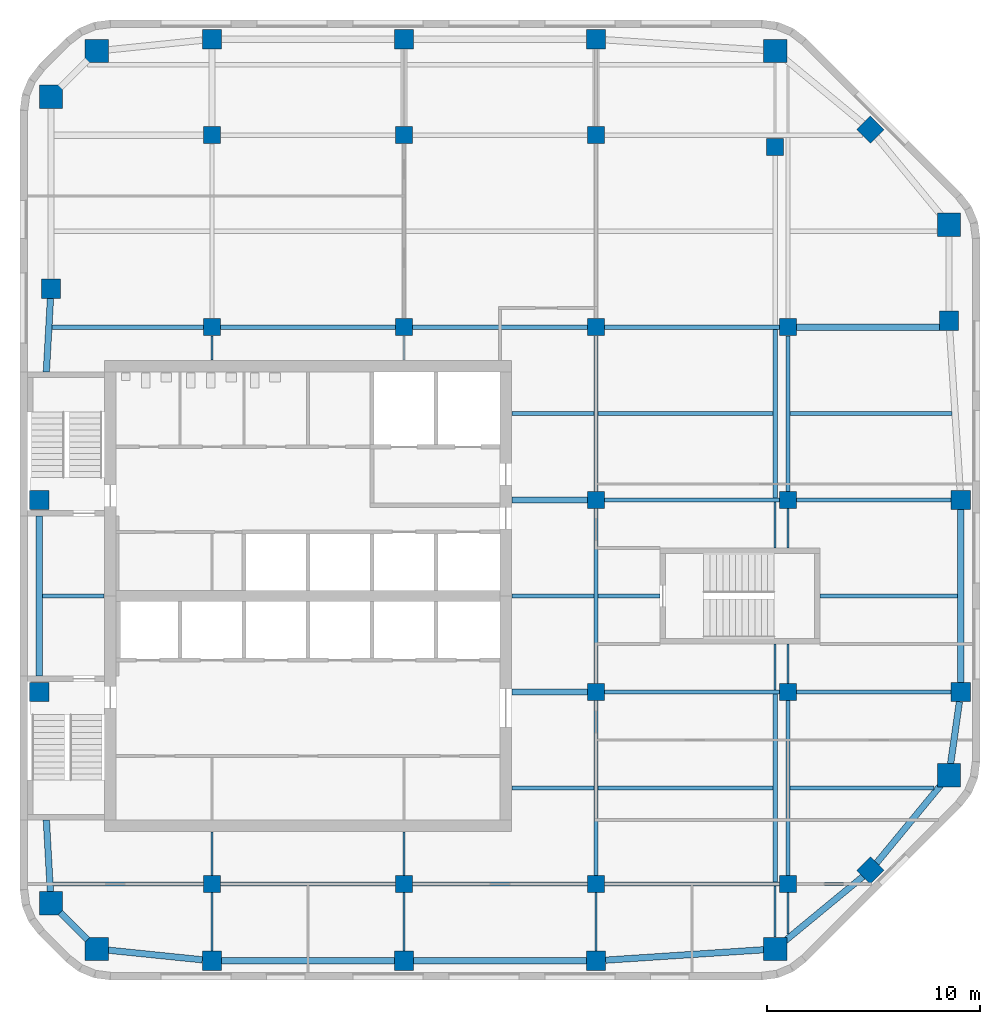
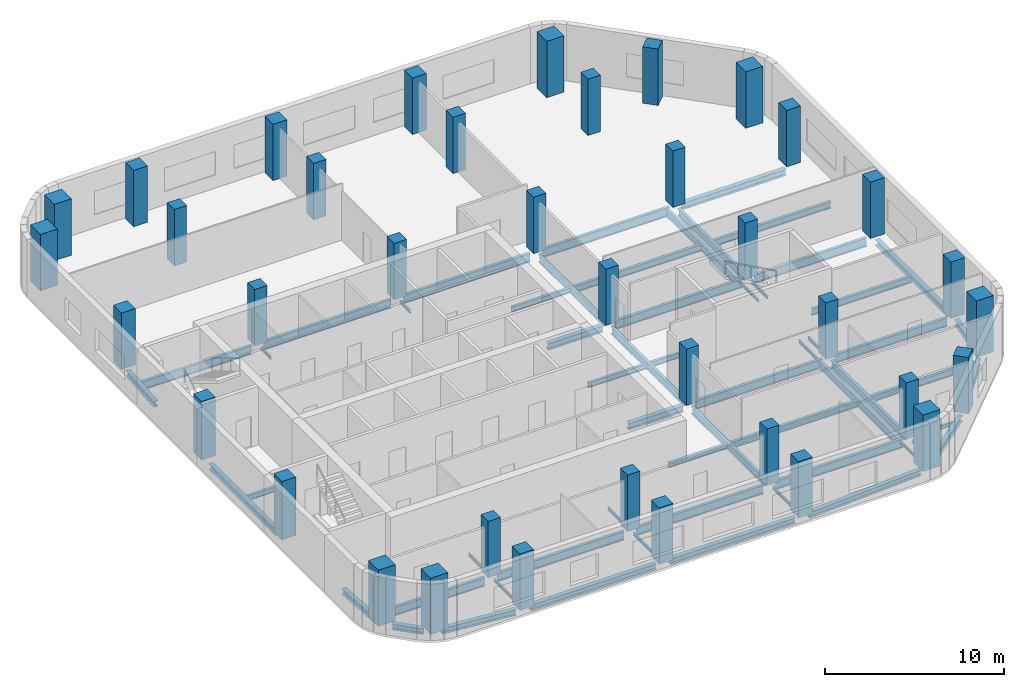
# One storey, part 1 of 7: 58 beams, 38 columns.
"""IFC4 building model written with IfcOpenShell, lengths in metres."""

from ifc_helpers import new_model, si_unit, direction, frame, origin, origin_2d, place, context, subcontext, project, spatial, rectangle, i_section, extrude, material, material_profile, profile_set, type_object, element, save


model = new_model("IFC4")

# Units and contexts
model_context = context("Model", 3, precision=1e-05, world=origin(), true_north=direction((0.0, 1.0)))
body_context = subcontext(model_context, "Body", "Model", "MODEL_VIEW")
ifc_project = project(units=[si_unit("LENGTHUNIT", "METRE"), si_unit("AREAUNIT", "SQUARE_METRE"), si_unit("VOLUMEUNIT", "CUBIC_METRE"), si_unit("PLANEANGLEUNIT", "RADIAN"), si_unit("MASSUNIT", "GRAM", prefix="KILO")], contexts=[model_context])

# Site, building, storey
site_placement = place(None, origin())
site = spatial("IfcSite", under=ifc_project, at=site_placement, CompositionType="ELEMENT")
building_placement = place(site_placement, origin())
building = spatial("IfcBuilding", under=site, at=building_placement, Name="Cinnabar Reach Civic Tower", CompositionType="ELEMENT")
storey_placement = place(building_placement, frame((0.0, 0.0, 218.0)))
storey = spatial("IfcBuildingStorey", under=building, at=storey_placement, Name="L52", CompositionType="ELEMENT", Elevation=218.0)

# Columns
ifc_material_1 = material(Name="Concrete C80", Category="concrete")
ifc_material_profile_1 = material_profile(ifc_material_1, rectangle(XDim=1.1, YDim=1.1, at=origin_2d()), Name="RC1100")
ifc_profile_set_1 = profile_set([ifc_material_profile_1], Name="Concrete C80")
column_type_1 = type_object("IfcColumnType", Name="RC1100 column R 240", PredefinedType="COLUMN", material=ifc_profile_set_1)
for number, where, z_axis, x_axis, name in (
    (1, (3.6019, 14.9531, 0.0), (0.0, 0.0, 1.0), (1.0, 0.0, 0.0), "Column T1-Z4-CC0"),
    (2, (35.3981, 14.9531, 0.0), (0.0, 0.0, 1.0), (1.0, 0.0, 0.0), "Column T1-Z4-CC1"),
    (3, (43.5469, 23.1019, 0.0), (0.0, 0.0, 1.0), (1.0, 0.0, 0.0), "Column T1-Z4-CC2"),
    (4, (43.5469, 48.8981, 0.0), (0.0, 0.0, 1.0), (1.0, 0.0, 0.0), "Column T1-Z4-CC3"),
    (5, (35.3981, 57.0469, 0.0), (0.0, 0.0, 1.0), (1.0, 0.0, 0.0), "Column T1-Z4-CC4"),
    (6, (3.6019, 57.0469, 0.0), (0.0, 0.0, 1.0), (1.0, 0.0, 0.0), "Column T1-Z4-CC5"),
    (7, (1.4531, 54.8981, 0.0), (0.0, 0.0, 1.0), (1.0, 0.0, 0.0), "Column T1-Z4-CC6"),
    (8, (1.4531, 17.1019, 0.0), (0.0, 0.0, 1.0), (1.0, 0.0, 0.0), "Column T1-Z4-CC7"),
):
    element("IfcColumn", number, at=place(storey_placement, frame(where, z_axis=z_axis, x_axis=x_axis)), inside=storey, type_object=column_type_1, Name=name, PredefinedType="COLUMN", context=body_context, shape_type="SweptSolid", body=[
        extrude(rectangle(XDim=1.1, YDim=1.1, at=origin_2d()), origin(), (0.0, 0.0, 1.0), 3.85),
    ])
ifc_material_2 = material(Name="Concrete C60", Category="concrete")
ifc_material_profile_2 = material_profile(ifc_material_2, rectangle(XDim=0.8, YDim=0.8, at=origin_2d()), Name="RC800")
ifc_profile_set_2 = profile_set([ifc_material_profile_2], Name="Concrete C60")
column_type_2 = type_object("IfcColumnType", Name="RC800 column R 240", PredefinedType="COLUMN", material=ifc_profile_set_2)
for number, where, z_axis, x_axis, name in (
    (9, (9.0, 18.0, 0.0), (0.0, 0.0, 1.0), (1.0, 0.0, 0.0), "Column T1-Z4-I9_18"),
    (10, (9.0, 44.1, 0.0), (0.0, 0.0, 1.0), (1.0, 0.0, 0.0), "Column T1-Z4-I9_45"),
    (11, (9.0, 53.1, 0.0), (0.0, 0.0, 1.0), (1.0, 0.0, 0.0), "Column T1-Z4-I9_54"),
    (12, (18.0, 18.0, 0.0), (0.0, 0.0, 1.0), (1.0, 0.0, 0.0), "Column T1-Z4-I18_18"),
    (13, (18.0, 44.1, 0.0), (0.0, 0.0, 1.0), (1.0, 0.0, 0.0), "Column T1-Z4-I18_45"),
    (14, (18.0, 53.1, 0.0), (0.0, 0.0, 1.0), (1.0, 0.0, 0.0), "Column T1-Z4-I18_54"),
    (15, (27.0, 18.0, 0.0), (0.0, 0.0, 1.0), (1.0, 0.0, 0.0), "Column T1-Z4-I27_18"),
    (16, (27.0, 27.0, 0.0), (0.0, 0.0, 1.0), (1.0, 0.0, 0.0), "Column T1-Z4-I27_27"),
    (17, (27.0, 36.0, 0.0), (0.0, 0.0, 1.0), (1.0, 0.0, 0.0), "Column T1-Z4-I27_36"),
    (18, (27.0, 44.1, 0.0), (0.0, 0.0, 1.0), (1.0, 0.0, 0.0), "Column T1-Z4-I27_45"),
    (19, (27.0, 53.1, 0.0), (0.0, 0.0, 1.0), (1.0, 0.0, 0.0), "Column T1-Z4-I27_54"),
    (20, (36.0, 18.0, 0.0), (0.0, 0.0, 1.0), (1.0, 0.0, 0.0), "Column T1-Z4-I36_18"),
    (21, (36.0, 27.0, 0.0), (0.0, 0.0, 1.0), (1.0, 0.0, 0.0), "Column T1-Z4-I36_27"),
    (22, (36.0, 36.0, 0.0), (0.0, 0.0, 1.0), (1.0, 0.0, 0.0), "Column T1-Z4-I36_36"),
    (23, (36.0, 44.1, 0.0), (0.0, 0.0, 1.0), (1.0, 0.0, 0.0), "Column T1-Z4-I36_45"),
    (24, (35.3981, 52.5469, 0.0), (0.0, 0.0, 1.0), (1.0, 0.0, 0.0), "Column T1-Z4-I36_54"),
):
    element("IfcColumn", number, at=place(storey_placement, frame(where, z_axis=z_axis, x_axis=x_axis)), inside=storey, type_object=column_type_2, Name=name, PredefinedType="COLUMN", context=body_context, shape_type="SweptSolid", body=[
        extrude(rectangle(XDim=0.8, YDim=0.8, at=origin_2d()), origin(), (0.0, 0.0, 1.0), 3.85),
    ])
ifc_material_3 = material(Name="Concrete C70", Category="concrete")
ifc_material_profile_3 = material_profile(ifc_material_3, rectangle(XDim=0.9, YDim=0.9, at=origin_2d()), Name="RC900")
ifc_profile_set_3 = profile_set([ifc_material_profile_3], Name="Concrete C70")
column_type_3 = type_object("IfcColumnType", Name="RC900 column R 240", PredefinedType="COLUMN", material=ifc_profile_set_3)
for number, where, z_axis, x_axis, name in (
    (25, (9.0, 14.4, 0.0), (0.0, 0.0, 1.0), (1.0, 0.0, 0.0), "Column T1-Z4-F0-1"),
    (26, (18.0, 14.4, 0.0), (0.0, 0.0, 1.0), (1.0, 0.0, 0.0), "Column T1-Z4-F0-2"),
    (27, (27.0, 14.4, 0.0), (0.0, 0.0, 1.0), (1.0, 0.0, 0.0), "Column T1-Z4-F0-3"),
    (28, (39.8636, 18.6364, 0.0), (0.0, 0.0, 1.0), (0.707106781187, 0.707106781187, 0.0), "Column T1-Z4-F1-M"),
    (29, (44.1, 27.0, 0.0), (0.0, 0.0, 1.0), (1.0, 0.0, 0.0), "Column T1-Z4-F2-3"),
    (30, (44.1, 36.0, 0.0), (0.0, 0.0, 1.0), (1.0, 0.0, 0.0), "Column T1-Z4-F2-4"),
    (31, (43.5469, 44.3981, 0.0), (0.0, 0.0, 1.0), (1.0, 0.0, 0.0), "Column T1-Z4-F2-5"),
    (32, (39.8636, 53.3636, 0.0), (0.0, 0.0, 1.0), (0.707106781187, 0.707106781187, 0.0), "Column T1-Z4-F3-M"),
    (33, (9.0, 57.6, 0.0), (0.0, 0.0, 1.0), (1.0, 0.0, 0.0), "Column T1-Z4-F4-1"),
    (34, (18.0, 57.6, 0.0), (0.0, 0.0, 1.0), (1.0, 0.0, 0.0), "Column T1-Z4-F4-2"),
    (35, (27.0, 57.6, 0.0), (0.0, 0.0, 1.0), (1.0, 0.0, 0.0), "Column T1-Z4-F4-3"),
):
    element("IfcColumn", number, at=place(storey_placement, frame(where, z_axis=z_axis, x_axis=x_axis)), inside=storey, type_object=column_type_3, Name=name, PredefinedType="COLUMN", context=body_context, shape_type="SweptSolid", body=[
        extrude(rectangle(XDim=0.9, YDim=0.9, at=origin_2d()), origin(), (0.0, 0.0, 1.0), 3.85),
    ])
for number, where, z_axis, x_axis, name in (
    (36, (0.9, 27.0, 0.0), (0.0, 0.0, 1.0), (1.0, 0.0, 0.0), "Column T1-Z4-F6-3"),
    (37, (0.9, 36.0, 0.0), (0.0, 0.0, 1.0), (1.0, 0.0, 0.0), "Column T1-Z4-F6-4"),
):
    element("IfcColumn", number, at=place(storey_placement, frame(where, z_axis=z_axis, x_axis=x_axis)), inside=storey, type_object=column_type_3, Name=name, PredefinedType="COLUMN", context=body_context, shape_type="SweptSolid", body=[
        extrude(rectangle(XDim=0.9, YDim=0.9, at=origin_2d()), origin(), (0.0, 0.0, 1.0), 4.0),
    ])
column_placement = place(storey_placement, frame((1.4531, 45.8981, 0.0), z_axis=(0.0, 0.0, 1.0), x_axis=(1.0, 0.0, 0.0)))
element("IfcColumn", 38, at=column_placement, inside=storey, type_object=column_type_3, Name="Column T1-Z4-F6-5", PredefinedType="COLUMN", context=body_context, shape_type="SweptSolid", body=[
    extrude(rectangle(XDim=0.9, YDim=0.9, at=origin_2d()), origin(), (0.0, 0.0, 1.0), 3.85),
])

# Beams
ifc_material_4 = material(Name="Steel Q355B", Category="steel")
ifc_material_profile_4 = material_profile(ifc_material_4, i_section(OverallWidth=0.3, OverallDepth=0.39, WebThickness=0.01, FlangeThickness=0.016, FilletRadius=0.013, at=origin_2d()), Name="HM390x300x10x16")
ifc_profile_set_4 = profile_set([ifc_material_profile_4], Name="Steel Q355B")
beam_type_1 = type_object("IfcBeamType", Name="HM390x300x10x16 beam R 180", PredefinedType="BEAM", material=ifc_profile_set_4)
beam_1_placement = place(storey_placement, frame((4.0339, 14.9088, -0.345), z_axis=(0.994792272495, -0.101923179821, 0.0), x_axis=(0.101923179821, 0.994792272495, 0.0)))
element("IfcBeam", 39, at=beam_1_placement, inside=storey, type_object=beam_type_1, Name="Edge beam T1 L52 1", PredefinedType="BEAM", context=body_context, shape_type="SweptSolid", body=[
    extrude(i_section(OverallWidth=0.3, OverallDepth=0.39, WebThickness=0.01, FlangeThickness=0.016, FilletRadius=0.013, at=origin_2d()), origin(), (0.0, 0.0, 1.0), 4.5377),
])
for number, where, z_axis, x_axis, name in (
    (40, (9.452, 14.4, -0.345), (1.0, 0.0, 0.0), (0.0, 1.0, 0.0), "Edge beam T1 L52 2"),
    (41, (18.452, 14.4, -0.345), (1.0, 0.0, 0.0), (0.0, 1.0, 0.0), "Edge beam T1 L52 3"),
):
    element("IfcBeam", number, at=place(storey_placement, frame(where, z_axis=z_axis, x_axis=x_axis)), inside=storey, type_object=beam_type_1, Name=name, PredefinedType="BEAM", context=body_context, shape_type="SweptSolid", body=[
        extrude(i_section(OverallWidth=0.3, OverallDepth=0.39, WebThickness=0.01, FlangeThickness=0.016, FilletRadius=0.013, at=origin_2d()), origin(), (0.0, 0.0, 1.0), 8.096),
    ])
beam_2_placement = place(storey_placement, frame((27.452, 14.4298, -0.345), z_axis=(0.99783894477, 0.065707231721, 0.0), x_axis=(-0.065707231721, 0.99783894477, 0.0)))
element("IfcBeam", 42, at=beam_2_placement, inside=storey, type_object=beam_type_1, Name="Edge beam T1 L52 4", PredefinedType="BEAM", context=body_context, shape_type="SweptSolid", body=[
    extrude(i_section(OverallWidth=0.3, OverallDepth=0.39, WebThickness=0.01, FlangeThickness=0.016, FilletRadius=0.013, at=origin_2d()), origin(), (0.0, 0.0, 1.0), 7.5304),
])
for number, where, z_axis, x_axis, name in (
    (43, (35.8301, 15.3094, -0.345), (0.771434448755, 0.63630880182, 0.0), (-0.63630880182, 0.771434448755, 0.0), "Edge beam T1 L52 5"),
    (44, (40.1142, 18.9402, -0.345), (0.63630880182, 0.771434448755, 0.0), (-0.771434448755, 0.63630880182, 0.0), "Edge beam T1 L52 6"),
):
    element("IfcBeam", number, at=place(storey_placement, frame(where, z_axis=z_axis, x_axis=x_axis)), inside=storey, type_object=beam_type_1, Name=name, PredefinedType="BEAM", context=body_context, shape_type="SweptSolid", body=[
        extrude(i_section(OverallWidth=0.3, OverallDepth=0.39, WebThickness=0.01, FlangeThickness=0.016, FilletRadius=0.013, at=origin_2d()), origin(), (0.0, 0.0, 1.0), 4.8348),
    ])
beam_3_placement = place(storey_placement, frame((43.6082, 23.5339, -0.345), z_axis=(0.140492342965, 0.990081765092, 0.0), x_axis=(-0.990081765092, 0.140492342965, 0.0)))
element("IfcBeam", 45, at=beam_3_placement, inside=storey, type_object=beam_type_1, Name="Edge beam T1 L52 7", PredefinedType="BEAM", context=body_context, shape_type="SweptSolid", body=[
    extrude(i_section(OverallWidth=0.3, OverallDepth=0.39, WebThickness=0.01, FlangeThickness=0.016, FilletRadius=0.013, at=origin_2d()), origin(), (0.0, 0.0, 1.0), 3.0443),
])
beam_4_placement = place(storey_placement, frame((44.1, 27.452, -0.345), z_axis=(0.0, 1.0, 0.0), x_axis=(-1.0, 0.0, 0.0)))
element("IfcBeam", 46, at=beam_4_placement, inside=storey, type_object=beam_type_1, Name="Edge beam T1 L52 8", PredefinedType="BEAM", context=body_context, shape_type="SweptSolid", body=[
    extrude(i_section(OverallWidth=0.3, OverallDepth=0.39, WebThickness=0.01, FlangeThickness=0.016, FilletRadius=0.013, at=origin_2d()), origin(), (0.0, 0.0, 1.0), 8.096),
])
beam_5_placement = place(storey_placement, frame((1.4278, 45.4461, -0.345), z_axis=(-0.0557766862, -0.998443268932, 0.0), x_axis=(0.998443268932, -0.0557766862, 0.0)))
element("IfcBeam", 47, at=beam_5_placement, inside=storey, type_object=beam_type_1, Name="Edge beam T1 L52 19", PredefinedType="BEAM", context=body_context, shape_type="SweptSolid", body=[
    extrude(i_section(OverallWidth=0.3, OverallDepth=0.39, WebThickness=0.01, FlangeThickness=0.016, FilletRadius=0.013, at=origin_2d()), origin(), (0.0, 0.0, 1.0), 3.4495),
])
beam_6_placement = place(storey_placement, frame((0.9, 35.248, -0.345), z_axis=(0.0, -1.0, 0.0), x_axis=(1.0, 0.0, 0.0)))
element("IfcBeam", 48, at=beam_6_placement, inside=storey, type_object=beam_type_1, Name="Edge beam T1 L52 20", PredefinedType="BEAM", context=body_context, shape_type="SweptSolid", body=[
    extrude(i_section(OverallWidth=0.3, OverallDepth=0.39, WebThickness=0.01, FlangeThickness=0.016, FilletRadius=0.013, at=origin_2d()), origin(), (0.0, 0.0, 1.0), 7.496),
])
beam_7_placement = place(storey_placement, frame((1.2354, 20.998, -0.345), z_axis=(0.05580045603, -0.998441940779, 0.0), x_axis=(0.998441940779, 0.05580045603, 0.0)))
element("IfcBeam", 49, at=beam_7_placement, inside=storey, type_object=beam_type_1, Name="Edge beam T1 L52 21", PredefinedType="BEAM", context=body_context, shape_type="SweptSolid", body=[
    extrude(i_section(OverallWidth=0.3, OverallDepth=0.39, WebThickness=0.01, FlangeThickness=0.016, FilletRadius=0.013, at=origin_2d()), origin(), (0.0, 0.0, 1.0), 3.4695),
])
beam_8_placement = place(storey_placement, frame((1.8851, 16.6699, -0.345), z_axis=(0.707106781187, -0.707106781187, 0.0), x_axis=(0.707106781187, 0.707106781187, 0.0)))
element("IfcBeam", 50, at=beam_8_placement, inside=storey, type_object=beam_type_1, Name="Edge beam T1 L52 22", PredefinedType="BEAM", context=body_context, shape_type="SweptSolid", body=[
    extrude(i_section(OverallWidth=0.3, OverallDepth=0.39, WebThickness=0.01, FlangeThickness=0.016, FilletRadius=0.013, at=origin_2d()), origin(), (0.0, 0.0, 1.0), 1.817),
])
ifc_material_profile_5 = material_profile(ifc_material_4, i_section(OverallWidth=0.3, OverallDepth=0.44, WebThickness=0.011, FlangeThickness=0.018, FilletRadius=0.016, at=origin_2d()), Name="HM440x300x11x18")
ifc_profile_set_5 = profile_set([ifc_material_profile_5], Name="Steel Q355B")
beam_type_2 = type_object("IfcBeamType", Name="HM440x300x11x18 beam R 180", PredefinedType="BEAM", material=ifc_profile_set_5)
for number, where, z_axis, x_axis, name in (
    (51, (23.052, 27.0, -0.37), (1.0, 0.0, 0.0), (0.0, 1.0, 0.0), "Girder T1 L52 6"),
    (52, (23.052, 36.0, -0.37), (1.0, 0.0, 0.0), (0.0, 1.0, 0.0), "Girder T1 L52 9"),
):
    element("IfcBeam", number, at=place(storey_placement, frame(where, z_axis=z_axis, x_axis=x_axis)), inside=storey, type_object=beam_type_2, Name=name, PredefinedType="BEAM", context=body_context, shape_type="SweptSolid", body=[
        extrude(i_section(OverallWidth=0.3, OverallDepth=0.44, WebThickness=0.011, FlangeThickness=0.018, FilletRadius=0.016, at=origin_2d()), origin(), (0.0, 0.0, 1.0), 3.546),
    ])
beam_9_placement = place(storey_placement, frame((36.402, 44.1, -0.37), z_axis=(1.0, 0.0, 0.0), x_axis=(0.0, 1.0, 0.0)))
element("IfcBeam", 53, at=beam_9_placement, inside=storey, type_object=beam_type_2, Name="Girder T1 L52 16", PredefinedType="BEAM", context=body_context, shape_type="SweptSolid", body=[
    extrude(i_section(OverallWidth=0.3, OverallDepth=0.44, WebThickness=0.011, FlangeThickness=0.018, FilletRadius=0.016, at=origin_2d()), origin(), (0.0, 0.0, 1.0), 6.6929),
])
ifc_material_profile_6 = material_profile(ifc_material_4, i_section(OverallWidth=0.099, OverallDepth=0.198, WebThickness=0.0045, FlangeThickness=0.007, FilletRadius=0.013, at=origin_2d()), Name="HN200x100x5.5x8")
ifc_profile_set_6 = profile_set([ifc_material_profile_6], Name="Steel Q355B")
beam_type_3 = type_object("IfcBeamType", Name="HN200x100x5.5x8 beam R 180", PredefinedType="BEAM", material=ifc_profile_set_6)
beam_10_placement = place(storey_placement, frame((9.0, 14.852, -0.249), z_axis=(0.0, 1.0, 0.0), x_axis=(-1.0, 0.0, 0.0)))
element("IfcBeam", 54, at=beam_10_placement, inside=storey, type_object=beam_type_3, Name="Girder T1 L52 1", PredefinedType="BEAM", context=body_context, shape_type="SweptSolid", body=[
    extrude(i_section(OverallWidth=0.099, OverallDepth=0.198, WebThickness=0.0045, FlangeThickness=0.007, FilletRadius=0.013, at=origin_2d()), origin(), (0.0, 0.0, 1.0), 2.746),
])
beam_11_placement = place(storey_placement, frame((9.0, 18.402, -0.249), z_axis=(0.0, 1.0, 0.0), x_axis=(-1.0, 0.0, 0.0)))
element("IfcBeam", 55, at=beam_11_placement, inside=storey, type_object=beam_type_3, Name="Girder T1 L52 2", PredefinedType="BEAM", context=body_context, shape_type="SweptSolid", body=[
    extrude(i_section(OverallWidth=0.099, OverallDepth=0.198, WebThickness=0.0045, FlangeThickness=0.007, FilletRadius=0.013, at=origin_2d()), origin(), (0.0, 0.0, 1.0), 2.046),
])
beam_12_placement = place(storey_placement, frame((9.0, 42.552, -0.249), z_axis=(0.0, 1.0, 0.0), x_axis=(-1.0, 0.0, 0.0)))
element("IfcBeam", 56, at=beam_12_placement, inside=storey, type_object=beam_type_3, Name="Girder T1 L52 3", PredefinedType="BEAM", context=body_context, shape_type="SweptSolid", body=[
    extrude(i_section(OverallWidth=0.099, OverallDepth=0.198, WebThickness=0.0045, FlangeThickness=0.007, FilletRadius=0.013, at=origin_2d()), origin(), (0.0, 0.0, 1.0), 1.146),
])
beam_13_placement = place(storey_placement, frame((18.0, 14.852, -0.249), z_axis=(0.0, 1.0, 0.0), x_axis=(-1.0, 0.0, 0.0)))
element("IfcBeam", 57, at=beam_13_placement, inside=storey, type_object=beam_type_3, Name="Girder T1 L52 6", PredefinedType="BEAM", context=body_context, shape_type="SweptSolid", body=[
    extrude(i_section(OverallWidth=0.099, OverallDepth=0.198, WebThickness=0.0045, FlangeThickness=0.007, FilletRadius=0.013, at=origin_2d()), origin(), (0.0, 0.0, 1.0), 2.746),
])
beam_14_placement = place(storey_placement, frame((18.0, 18.402, -0.249), z_axis=(0.0, 1.0, 0.0), x_axis=(-1.0, 0.0, 0.0)))
element("IfcBeam", 58, at=beam_14_placement, inside=storey, type_object=beam_type_3, Name="Girder T1 L52 7", PredefinedType="BEAM", context=body_context, shape_type="SweptSolid", body=[
    extrude(i_section(OverallWidth=0.099, OverallDepth=0.198, WebThickness=0.0045, FlangeThickness=0.007, FilletRadius=0.013, at=origin_2d()), origin(), (0.0, 0.0, 1.0), 2.046),
])
beam_15_placement = place(storey_placement, frame((18.0, 42.552, -0.249), z_axis=(0.0, 1.0, 0.0), x_axis=(-1.0, 0.0, 0.0)))
element("IfcBeam", 59, at=beam_15_placement, inside=storey, type_object=beam_type_3, Name="Girder T1 L52 8", PredefinedType="BEAM", context=body_context, shape_type="SweptSolid", body=[
    extrude(i_section(OverallWidth=0.099, OverallDepth=0.198, WebThickness=0.0045, FlangeThickness=0.007, FilletRadius=0.013, at=origin_2d()), origin(), (0.0, 0.0, 1.0), 1.146),
])
beam_16_placement = place(storey_placement, frame((27.0, 14.852, -0.249), z_axis=(0.0, 1.0, 0.0), x_axis=(-1.0, 0.0, 0.0)))
element("IfcBeam", 60, at=beam_16_placement, inside=storey, type_object=beam_type_3, Name="Girder T1 L52 11", PredefinedType="BEAM", context=body_context, shape_type="SweptSolid", body=[
    extrude(i_section(OverallWidth=0.099, OverallDepth=0.198, WebThickness=0.0045, FlangeThickness=0.007, FilletRadius=0.013, at=origin_2d()), origin(), (0.0, 0.0, 1.0), 2.746),
])
beam_17_placement = place(storey_placement, frame((35.3981, 15.5051, -0.249), z_axis=(0.0, 1.0, 0.0), x_axis=(-1.0, 0.0, 0.0)))
element("IfcBeam", 61, at=beam_17_placement, inside=storey, type_object=beam_type_3, Name="Girder T1 L52 17", PredefinedType="BEAM", context=body_context, shape_type="SweptSolid", body=[
    extrude(i_section(OverallWidth=0.099, OverallDepth=0.198, WebThickness=0.0045, FlangeThickness=0.007, FilletRadius=0.013, at=origin_2d()), origin(), (0.0, 0.0, 1.0), 2.3934),
])
for number, where, z_axis, x_axis, name in (
    (62, (35.3981, 27.1015, -0.249), (0.0, 1.0, 0.0), (-1.0, 0.0, 0.0), "Girder T1 L52 19"),
    (63, (35.3981, 33.752, -0.249), (0.0, 1.0, 0.0), (-1.0, 0.0, 0.0), "Girder T1 L52 20"),
):
    element("IfcBeam", number, at=place(storey_placement, frame(where, z_axis=z_axis, x_axis=x_axis)), inside=storey, type_object=beam_type_3, Name=name, PredefinedType="BEAM", context=body_context, shape_type="SweptSolid", body=[
        extrude(i_section(OverallWidth=0.099, OverallDepth=0.198, WebThickness=0.0045, FlangeThickness=0.007, FilletRadius=0.013, at=origin_2d()), origin(), (0.0, 0.0, 1.0), 2.1465),
    ])
beam_18_placement = place(storey_placement, frame((36.0, 15.6466, -0.249), z_axis=(0.0, 1.0, 0.0), x_axis=(-1.0, 0.0, 0.0)))
element("IfcBeam", 64, at=beam_18_placement, inside=storey, type_object=beam_type_3, Name="Girder T1 L52 24", PredefinedType="BEAM", context=body_context, shape_type="SweptSolid", body=[
    extrude(i_section(OverallWidth=0.099, OverallDepth=0.198, WebThickness=0.0045, FlangeThickness=0.007, FilletRadius=0.013, at=origin_2d()), origin(), (0.0, 0.0, 1.0), 1.9514),
])
for number, where, z_axis, x_axis, name in (
    (65, (36.0, 27.402, -0.249), (0.0, 1.0, 0.0), (-1.0, 0.0, 0.0), "Girder T1 L52 26"),
    (66, (36.0, 33.752, -0.249), (0.0, 1.0, 0.0), (-1.0, 0.0, 0.0), "Girder T1 L52 27"),
):
    element("IfcBeam", number, at=place(storey_placement, frame(where, z_axis=z_axis, x_axis=x_axis)), inside=storey, type_object=beam_type_3, Name=name, PredefinedType="BEAM", context=body_context, shape_type="SweptSolid", body=[
        extrude(i_section(OverallWidth=0.099, OverallDepth=0.198, WebThickness=0.0045, FlangeThickness=0.007, FilletRadius=0.013, at=origin_2d()), origin(), (0.0, 0.0, 1.0), 1.846),
    ])
ifc_material_profile_7 = material_profile(ifc_material_4, i_section(OverallWidth=0.124, OverallDepth=0.248, WebThickness=0.005, FlangeThickness=0.008, FilletRadius=0.013, at=origin_2d()), Name="HN250x125x6x9")
ifc_profile_set_7 = profile_set([ifc_material_profile_7], Name="Steel Q355B")
beam_type_4 = type_object("IfcBeamType", Name="HN250x125x6x9 beam R 180", PredefinedType="BEAM", material=ifc_profile_set_7)
beam_19_placement = place(storey_placement, frame((36.402, 18.0, -0.274), z_axis=(1.0, 0.0, 0.0), x_axis=(0.0, 1.0, 0.0)))
element("IfcBeam", 67, at=beam_19_placement, inside=storey, type_object=beam_type_4, Name="Girder T1 L52 5", PredefinedType="BEAM", context=body_context, shape_type="SweptSolid", body=[
    extrude(i_section(OverallWidth=0.124, OverallDepth=0.248, WebThickness=0.005, FlangeThickness=0.008, FilletRadius=0.013, at=origin_2d()), origin(), (0.0, 0.0, 1.0), 2.4512),
])
ifc_material_profile_8 = material_profile(ifc_material_4, i_section(OverallWidth=0.174, OverallDepth=0.346, WebThickness=0.006, FlangeThickness=0.009, FilletRadius=0.013, at=origin_2d()), Name="HN346x174x6x9")
ifc_profile_set_8 = profile_set([ifc_material_profile_8], Name="Steel Q355B")
beam_type_5 = type_object("IfcBeamType", Name="HN346x174x6x9 beam R 180", PredefinedType="BEAM", material=ifc_profile_set_8)
beam_20_placement = place(storey_placement, frame((23.052, 22.5, -0.323), z_axis=(1.0, 0.0, 0.0), x_axis=(0.0, 1.0, 0.0)))
element("IfcBeam", 68, at=beam_20_placement, inside=storey, type_object=beam_type_5, Name="Secondary beam T1 L52 1", PredefinedType="BEAM", context=body_context, shape_type="SweptSolid", body=[
    extrude(i_section(OverallWidth=0.174, OverallDepth=0.346, WebThickness=0.006, FlangeThickness=0.009, FilletRadius=0.013, at=origin_2d()), origin(), (0.0, 0.0, 1.0), 3.846),
])
beam_21_placement = place(storey_placement, frame((1.052, 31.5, -0.323), z_axis=(1.0, 0.0, 0.0), x_axis=(0.0, 1.0, 0.0)))
element("IfcBeam", 69, at=beam_21_placement, inside=storey, type_object=beam_type_5, Name="Secondary beam T1 L52 4", PredefinedType="BEAM", context=body_context, shape_type="SweptSolid", body=[
    extrude(i_section(OverallWidth=0.174, OverallDepth=0.346, WebThickness=0.006, FlangeThickness=0.009, FilletRadius=0.013, at=origin_2d()), origin(), (0.0, 0.0, 1.0), 2.896),
])
beam_22_placement = place(storey_placement, frame((23.052, 31.5, -0.323), z_axis=(1.0, 0.0, 0.0), x_axis=(0.0, 1.0, 0.0)))
element("IfcBeam", 70, at=beam_22_placement, inside=storey, type_object=beam_type_5, Name="Secondary beam T1 L52 5", PredefinedType="BEAM", context=body_context, shape_type="SweptSolid", body=[
    extrude(i_section(OverallWidth=0.174, OverallDepth=0.346, WebThickness=0.006, FlangeThickness=0.009, FilletRadius=0.013, at=origin_2d()), origin(), (0.0, 0.0, 1.0), 3.846),
])
beam_23_placement = place(storey_placement, frame((27.102, 31.5, -0.323), z_axis=(1.0, 0.0, 0.0), x_axis=(0.0, 1.0, 0.0)))
element("IfcBeam", 71, at=beam_23_placement, inside=storey, type_object=beam_type_5, Name="Secondary beam T1 L52 6", PredefinedType="BEAM", context=body_context, shape_type="SweptSolid", body=[
    extrude(i_section(OverallWidth=0.174, OverallDepth=0.346, WebThickness=0.006, FlangeThickness=0.009, FilletRadius=0.013, at=origin_2d()), origin(), (0.0, 0.0, 1.0), 2.896),
])
beam_24_placement = place(storey_placement, frame((23.052, 40.05, -0.323), z_axis=(1.0, 0.0, 0.0), x_axis=(0.0, 1.0, 0.0)))
element("IfcBeam", 72, at=beam_24_placement, inside=storey, type_object=beam_type_5, Name="Secondary beam T1 L52 8", PredefinedType="BEAM", context=body_context, shape_type="SweptSolid", body=[
    extrude(i_section(OverallWidth=0.174, OverallDepth=0.346, WebThickness=0.006, FlangeThickness=0.009, FilletRadius=0.013, at=origin_2d()), origin(), (0.0, 0.0, 1.0), 3.846),
])
ifc_material_profile_9 = material_profile(ifc_material_4, i_section(OverallWidth=0.199, OverallDepth=0.446, WebThickness=0.008, FlangeThickness=0.012, FilletRadius=0.016, at=origin_2d()), Name="HN446x199x8x12")
ifc_profile_set_9 = profile_set([ifc_material_profile_9], Name="Steel Q355B")
beam_type_6 = type_object("IfcBeamType", Name="HN446x199x8x12 beam R 180", PredefinedType="BEAM", material=ifc_profile_set_9)
beam_25_placement = place(storey_placement, frame((27.102, 22.5, -0.373), z_axis=(1.0, 0.0, 0.0), x_axis=(0.0, 1.0, 0.0)))
element("IfcBeam", 73, at=beam_25_placement, inside=storey, type_object=beam_type_6, Name="Secondary beam T1 L52 2", PredefinedType="BEAM", context=body_context, shape_type="SweptSolid", body=[
    extrude(i_section(OverallWidth=0.199, OverallDepth=0.446, WebThickness=0.008, FlangeThickness=0.012, FilletRadius=0.016, at=origin_2d()), origin(), (0.0, 0.0, 1.0), 8.1941),
])
beam_26_placement = place(storey_placement, frame((36.102, 22.5, -0.373), z_axis=(1.0, 0.0, 0.0), x_axis=(0.0, 1.0, 0.0)))
element("IfcBeam", 74, at=beam_26_placement, inside=storey, type_object=beam_type_6, Name="Secondary beam T1 L52 3", PredefinedType="BEAM", context=body_context, shape_type="SweptSolid", body=[
    extrude(i_section(OverallWidth=0.199, OverallDepth=0.446, WebThickness=0.008, FlangeThickness=0.012, FilletRadius=0.016, at=origin_2d()), origin(), (0.0, 0.0, 1.0), 6.7514),
])
beam_27_placement = place(storey_placement, frame((37.502, 31.5, -0.373), z_axis=(1.0, 0.0, 0.0), x_axis=(0.0, 1.0, 0.0)))
element("IfcBeam", 75, at=beam_27_placement, inside=storey, type_object=beam_type_6, Name="Secondary beam T1 L52 7", PredefinedType="BEAM", context=body_context, shape_type="SweptSolid", body=[
    extrude(i_section(OverallWidth=0.199, OverallDepth=0.446, WebThickness=0.008, FlangeThickness=0.012, FilletRadius=0.016, at=origin_2d()), origin(), (0.0, 0.0, 1.0), 6.446),
])
beam_28_placement = place(storey_placement, frame((27.102, 40.05, -0.373), z_axis=(1.0, 0.0, 0.0), x_axis=(0.0, 1.0, 0.0)))
element("IfcBeam", 76, at=beam_28_placement, inside=storey, type_object=beam_type_6, Name="Secondary beam T1 L52 9", PredefinedType="BEAM", context=body_context, shape_type="SweptSolid", body=[
    extrude(i_section(OverallWidth=0.199, OverallDepth=0.446, WebThickness=0.008, FlangeThickness=0.012, FilletRadius=0.016, at=origin_2d()), origin(), (0.0, 0.0, 1.0), 8.1941),
])
beam_29_placement = place(storey_placement, frame((36.102, 40.05, -0.373), z_axis=(1.0, 0.0, 0.0), x_axis=(0.0, 1.0, 0.0)))
element("IfcBeam", 77, at=beam_29_placement, inside=storey, type_object=beam_type_6, Name="Secondary beam T1 L52 10", PredefinedType="BEAM", context=body_context, shape_type="SweptSolid", body=[
    extrude(i_section(OverallWidth=0.199, OverallDepth=0.446, WebThickness=0.008, FlangeThickness=0.012, FilletRadius=0.016, at=origin_2d()), origin(), (0.0, 0.0, 1.0), 7.5789),
])
ifc_material_profile_10 = material_profile(ifc_material_4, i_section(OverallWidth=0.2, OverallDepth=0.5, WebThickness=0.01, FlangeThickness=0.016, FilletRadius=0.016, at=origin_2d()), Name="HN500x200x10x16")
ifc_profile_set_10 = profile_set([ifc_material_profile_10], Name="Steel Q355B")
beam_type_7 = type_object("IfcBeamType", Name="HN500x200x10x16 beam R 180", PredefinedType="BEAM", material=ifc_profile_set_10)
for number, where, z_axis, x_axis, name in (
    (78, (27.0, 18.402, -0.4), (0.0, 1.0, 0.0), (-1.0, 0.0, 0.0), "Girder T1 L52 12"),
    (79, (27.0, 27.402, -0.4), (0.0, 1.0, 0.0), (-1.0, 0.0, 0.0), "Girder T1 L52 13"),
):
    element("IfcBeam", number, at=place(storey_placement, frame(where, z_axis=z_axis, x_axis=x_axis)), inside=storey, type_object=beam_type_7, Name=name, PredefinedType="BEAM", context=body_context, shape_type="SweptSolid", body=[
        extrude(i_section(OverallWidth=0.2, OverallDepth=0.5, WebThickness=0.01, FlangeThickness=0.016, FilletRadius=0.016, at=origin_2d()), origin(), (0.0, 0.0, 1.0), 8.196),
    ])
beam_30_placement = place(storey_placement, frame((27.0, 36.402, -0.4), z_axis=(0.0, 1.0, 0.0), x_axis=(-1.0, 0.0, 0.0)))
element("IfcBeam", 80, at=beam_30_placement, inside=storey, type_object=beam_type_7, Name="Girder T1 L52 14", PredefinedType="BEAM", context=body_context, shape_type="SweptSolid", body=[
    extrude(i_section(OverallWidth=0.2, OverallDepth=0.5, WebThickness=0.01, FlangeThickness=0.016, FilletRadius=0.016, at=origin_2d()), origin(), (0.0, 0.0, 1.0), 7.296),
])
beam_31_placement = place(storey_placement, frame((35.3981, 18.1015, -0.4), z_axis=(0.0, 1.0, 0.0), x_axis=(-1.0, 0.0, 0.0)))
element("IfcBeam", 81, at=beam_31_placement, inside=storey, type_object=beam_type_7, Name="Girder T1 L52 18", PredefinedType="BEAM", context=body_context, shape_type="SweptSolid", body=[
    extrude(i_section(OverallWidth=0.2, OverallDepth=0.5, WebThickness=0.01, FlangeThickness=0.016, FilletRadius=0.016, at=origin_2d()), origin(), (0.0, 0.0, 1.0), 8.797),
])
beam_32_placement = place(storey_placement, frame((35.3981, 36.1015, -0.4), z_axis=(0.0, 1.0, 0.0), x_axis=(-1.0, 0.0, 0.0)))
element("IfcBeam", 82, at=beam_32_placement, inside=storey, type_object=beam_type_7, Name="Girder T1 L52 21", PredefinedType="BEAM", context=body_context, shape_type="SweptSolid", body=[
    extrude(i_section(OverallWidth=0.2, OverallDepth=0.5, WebThickness=0.01, FlangeThickness=0.016, FilletRadius=0.016, at=origin_2d()), origin(), (0.0, 0.0, 1.0), 7.897),
])
beam_33_placement = place(storey_placement, frame((36.0, 18.402, -0.4), z_axis=(0.0, 1.0, 0.0), x_axis=(-1.0, 0.0, 0.0)))
element("IfcBeam", 83, at=beam_33_placement, inside=storey, type_object=beam_type_7, Name="Girder T1 L52 25", PredefinedType="BEAM", context=body_context, shape_type="SweptSolid", body=[
    extrude(i_section(OverallWidth=0.2, OverallDepth=0.5, WebThickness=0.01, FlangeThickness=0.016, FilletRadius=0.016, at=origin_2d()), origin(), (0.0, 0.0, 1.0), 8.196),
])
beam_34_placement = place(storey_placement, frame((36.0, 36.402, -0.4), z_axis=(0.0, 1.0, 0.0), x_axis=(-1.0, 0.0, 0.0)))
element("IfcBeam", 84, at=beam_34_placement, inside=storey, type_object=beam_type_7, Name="Girder T1 L52 28", PredefinedType="BEAM", context=body_context, shape_type="SweptSolid", body=[
    extrude(i_section(OverallWidth=0.2, OverallDepth=0.5, WebThickness=0.01, FlangeThickness=0.016, FilletRadius=0.016, at=origin_2d()), origin(), (0.0, 0.0, 1.0), 7.296),
])
ifc_material_profile_11 = material_profile(ifc_material_4, i_section(OverallWidth=0.199, OverallDepth=0.596, WebThickness=0.01, FlangeThickness=0.015, FilletRadius=0.016, at=origin_2d()), Name="HN596x199x10x15")
ifc_profile_set_11 = profile_set([ifc_material_profile_11], Name="Steel Q355B")
beam_type_8 = type_object("IfcBeamType", Name="HN596x199x10x15 beam R 180", PredefinedType="BEAM", material=ifc_profile_set_11)
beam_35_placement = place(storey_placement, frame((1.5552, 18.0, -0.448), z_axis=(1.0, 0.0, 0.0), x_axis=(0.0, 1.0, 0.0)))
element("IfcBeam", 85, at=beam_35_placement, inside=storey, type_object=beam_type_8, Name="Girder T1 L52 1", PredefinedType="BEAM", context=body_context, shape_type="SweptSolid", body=[
    extrude(i_section(OverallWidth=0.199, OverallDepth=0.596, WebThickness=0.01, FlangeThickness=0.015, FilletRadius=0.016, at=origin_2d()), origin(), (0.0, 0.0, 1.0), 7.0428),
])
for number, where, z_axis, x_axis, name in (
    (86, (9.402, 18.0, -0.448), (1.0, 0.0, 0.0), (0.0, 1.0, 0.0), "Girder T1 L52 2"),
    (87, (18.402, 18.0, -0.448), (1.0, 0.0, 0.0), (0.0, 1.0, 0.0), "Girder T1 L52 3"),
    (88, (27.402, 18.0, -0.448), (1.0, 0.0, 0.0), (0.0, 1.0, 0.0), "Girder T1 L52 4"),
    (89, (27.402, 27.0, -0.448), (1.0, 0.0, 0.0), (0.0, 1.0, 0.0), "Girder T1 L52 7"),
):
    element("IfcBeam", number, at=place(storey_placement, frame(where, z_axis=z_axis, x_axis=x_axis)), inside=storey, type_object=beam_type_8, Name=name, PredefinedType="BEAM", context=body_context, shape_type="SweptSolid", body=[
        extrude(i_section(OverallWidth=0.199, OverallDepth=0.596, WebThickness=0.01, FlangeThickness=0.015, FilletRadius=0.016, at=origin_2d()), origin(), (0.0, 0.0, 1.0), 8.196),
    ])
beam_36_placement = place(storey_placement, frame((36.402, 27.0, -0.448), z_axis=(1.0, 0.0, 0.0), x_axis=(0.0, 1.0, 0.0)))
element("IfcBeam", 90, at=beam_36_placement, inside=storey, type_object=beam_type_8, Name="Girder T1 L52 8", PredefinedType="BEAM", context=body_context, shape_type="SweptSolid", body=[
    extrude(i_section(OverallWidth=0.199, OverallDepth=0.596, WebThickness=0.01, FlangeThickness=0.015, FilletRadius=0.016, at=origin_2d()), origin(), (0.0, 0.0, 1.0), 7.246),
])
beam_37_placement = place(storey_placement, frame((27.402, 36.0, -0.448), z_axis=(1.0, 0.0, 0.0), x_axis=(0.0, 1.0, 0.0)))
element("IfcBeam", 91, at=beam_37_placement, inside=storey, type_object=beam_type_8, Name="Girder T1 L52 10", PredefinedType="BEAM", context=body_context, shape_type="SweptSolid", body=[
    extrude(i_section(OverallWidth=0.199, OverallDepth=0.596, WebThickness=0.01, FlangeThickness=0.015, FilletRadius=0.016, at=origin_2d()), origin(), (0.0, 0.0, 1.0), 8.196),
])
beam_38_placement = place(storey_placement, frame((36.402, 36.0, -0.448), z_axis=(1.0, 0.0, 0.0), x_axis=(0.0, 1.0, 0.0)))
element("IfcBeam", 92, at=beam_38_placement, inside=storey, type_object=beam_type_8, Name="Girder T1 L52 11", PredefinedType="BEAM", context=body_context, shape_type="SweptSolid", body=[
    extrude(i_section(OverallWidth=0.199, OverallDepth=0.596, WebThickness=0.01, FlangeThickness=0.015, FilletRadius=0.016, at=origin_2d()), origin(), (0.0, 0.0, 1.0), 7.246),
])
beam_39_placement = place(storey_placement, frame((1.5049, 44.1, -0.448), z_axis=(1.0, 0.0, 0.0), x_axis=(0.0, 1.0, 0.0)))
element("IfcBeam", 93, at=beam_39_placement, inside=storey, type_object=beam_type_8, Name="Girder T1 L52 12", PredefinedType="BEAM", context=body_context, shape_type="SweptSolid", body=[
    extrude(i_section(OverallWidth=0.199, OverallDepth=0.596, WebThickness=0.01, FlangeThickness=0.015, FilletRadius=0.016, at=origin_2d()), origin(), (0.0, 0.0, 1.0), 7.0931),
])
for number, where, z_axis, x_axis, name in (
    (94, (9.402, 44.1, -0.448), (1.0, 0.0, 0.0), (0.0, 1.0, 0.0), "Girder T1 L52 13"),
    (95, (18.402, 44.1, -0.448), (1.0, 0.0, 0.0), (0.0, 1.0, 0.0), "Girder T1 L52 14"),
    (96, (27.402, 44.1, -0.448), (1.0, 0.0, 0.0), (0.0, 1.0, 0.0), "Girder T1 L52 15"),
):
    element("IfcBeam", number, at=place(storey_placement, frame(where, z_axis=z_axis, x_axis=x_axis)), inside=storey, type_object=beam_type_8, Name=name, PredefinedType="BEAM", context=body_context, shape_type="SweptSolid", body=[
        extrude(i_section(OverallWidth=0.199, OverallDepth=0.596, WebThickness=0.01, FlangeThickness=0.015, FilletRadius=0.016, at=origin_2d()), origin(), (0.0, 0.0, 1.0), 8.196),
    ])

save(model, "model.ifc")
